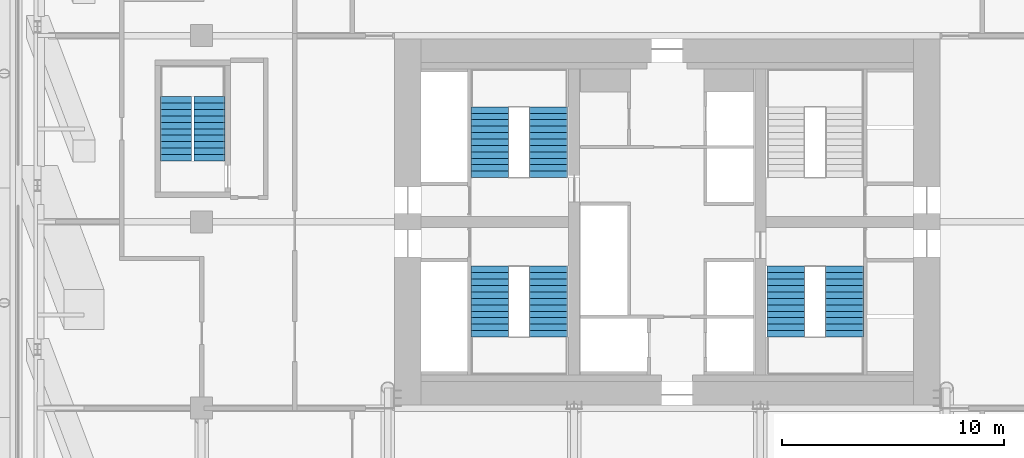
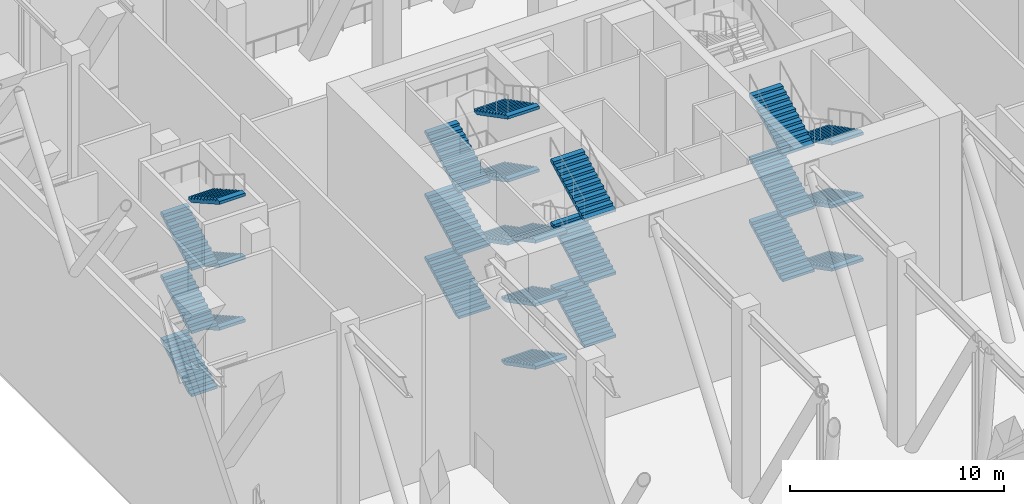
# One storey, part 12 of 19: 24 stair flights, 4 elements without a shape of their own.
"""IFC4 building model written with IfcOpenShell, lengths in metres."""

import ifcopenshell
import ifcopenshell.guid

model = None  # the IFC model being written
_history = None  # IfcOwnerHistory: only IFC2X3 demands one
_inside = {}  # id of a spatial element -> (the spatial element, [elements in it])
_under = {}  # id of a project, library or spatial element -> (it, [spatial elements below it])
_declared = {}  # id of a project -> (the project, [libraries it declares])
_typed = {}  # id of a type object -> (the type object, [elements of that type])
_made_of = {}  # id of a material, layer set ... -> (it, [elements and type objects made of it])


def new_model(schema):
    """Start an empty IFC model of exactly this schema.

    Asked for "IFC4X3", IfcOpenShell would pick the latest addendum, in which some entities
    have other attributes; the version numbers below select the first issue.
    IFC2X3 requires an IfcOwnerHistory on every rooted entity: one is made here for all.
    """
    global model, _history
    if schema == "IFC4X3":
        model = ifcopenshell.file(schema_version=(4, 3, 0, 0))
    else:
        model = ifcopenshell.file(schema=schema)
    _inside.clear()
    _under.clear()
    _declared.clear()
    _typed.clear()
    _made_of.clear()
    _history = None
    if model.schema == "IFC2X3":
        org = make("IfcOrganization", Name="unknown")
        user = make(
            "IfcPersonAndOrganization",
            ThePerson=make("IfcPerson", FamilyName="unknown"),
            TheOrganization=org,
        )
        app = make(
            "IfcApplication",
            ApplicationDeveloper=org,
            Version="unknown",
            ApplicationFullName="unknown",
            ApplicationIdentifier="unknown",
        )
        _history = make(
            "IfcOwnerHistory",
            OwningUser=user,
            OwningApplication=app,
            ChangeAction="ADDED",
            CreationDate=0,
        )
    return model


def make(cls, **values):
    """One entity of the class cls with the attributes given. An attribute that is None is left unset."""
    return model.create_entity(
        cls, **{name: value for name, value in values.items() if value is not None}
    )


def rooted(cls, **values):
    """An entity with a GlobalId (a new one), such as an element, a storey or a relation."""
    return make(cls, GlobalId=ifcopenshell.guid.new(), OwnerHistory=_history, **values)


def si_unit(unit_type, name, prefix=None):
    """IfcSIUnit, for example si_unit("LENGTHUNIT", "METRE", prefix="MILLI")."""
    return make("IfcSIUnit", UnitType=unit_type, Prefix=prefix, Name=name)


def assignment(units):
    """IfcUnitAssignment: the units of a project."""
    return None if units is None else make("IfcUnitAssignment", Units=units)


def point(xyz):
    """IfcCartesianPoint."""
    return None if xyz is None else make("IfcCartesianPoint", Coordinates=xyz)


def direction(xyz):
    """IfcDirection."""
    return None if xyz is None else make("IfcDirection", DirectionRatios=xyz)


def frame(location, z_axis=None, x_axis=None):
    """IfcAxis2Placement3D, a coordinate frame: its origin and axes. An axis left out is left unset."""
    return make(
        "IfcAxis2Placement3D",
        Location=point(location),
        Axis=direction(z_axis),
        RefDirection=direction(x_axis),
    )


def origin():
    """The frame at (0, 0, 0) with its axes left unset."""
    return frame((0.0, 0.0, 0.0))


def place(relative_to, where):
    """IfcLocalPlacement: puts the frame where relative to a parent placement (None: the world)."""
    return make(
        "IfcLocalPlacement", PlacementRelTo=relative_to, RelativePlacement=where
    )


def context(
    kind, dimensions, precision=None, world=None, true_north=None, identifier=None
):
    """IfcGeometricRepresentationContext, for example the 3D "Model" context."""
    return make(
        "IfcGeometricRepresentationContext",
        ContextIdentifier=identifier,
        ContextType=kind,
        CoordinateSpaceDimension=dimensions,
        Precision=precision,
        WorldCoordinateSystem=world,
        TrueNorth=true_north,
    )


def subcontext(parent, identifier, kind, view, scale=None):
    """IfcGeometricRepresentationSubContext, for example "Body" below "Model"."""
    return make(
        "IfcGeometricRepresentationSubContext",
        ContextIdentifier=identifier,
        ContextType=kind,
        ParentContext=parent,
        TargetScale=scale,
        TargetView=view,
    )


def project(units=None, contexts=None):
    """IfcProject with its units and contexts."""
    return rooted(
        "IfcProject",
        Name="project",
        RepresentationContexts=contexts,
        UnitsInContext=assignment(units),
    )


def spatial(cls, under=None, at=None, **own):
    """A site, building, storey or space (cls), placed at a placement, below another one or the project."""
    s = rooted(cls, ObjectPlacement=at, **own)
    if under is not None:
        _under.setdefault(under.id(), (under, []))[1].append(s)
    return s


def polyline(points):
    """IfcPolyline through the points."""
    return make("IfcPolyline", Points=[point(p) for p in points])


def outline(outer, holes=None, kind="AREA"):
    """IfcArbitraryClosedProfileDef: a profile drawn as a closed curve; with holes, ...WithVoids."""
    if holes is None:
        return make("IfcArbitraryClosedProfileDef", ProfileType=kind, OuterCurve=outer)
    return make(
        "IfcArbitraryProfileDefWithVoids",
        ProfileType=kind,
        OuterCurve=outer,
        InnerCurves=holes,
    )


def extrude(swept, where, along, depth):
    """IfcExtrudedAreaSolid: the profile swept, set in the frame where, extruded along a direction by depth."""
    return make(
        "IfcExtrudedAreaSolid",
        SweptArea=swept,
        Position=where,
        ExtrudedDirection=direction(along),
        Depth=depth,
    )


def shape(context_of_items, identifier, shape_type, items):
    """IfcShapeRepresentation: the items that make up one representation, for example the "Body"."""
    return make(
        "IfcShapeRepresentation",
        ContextOfItems=context_of_items,
        RepresentationIdentifier=identifier,
        RepresentationType=shape_type,
        Items=items,
    )


def material(Name=None, Category=None):
    """IfcMaterial."""
    return make("IfcMaterial", Name=Name, Category=Category)


def made_of(thing, what):
    """Note that an element or type object is made of a material, layer set ...; save() writes the relation."""
    if what is not None:
        _made_of.setdefault(what.id(), (what, []))[1].append(thing)
    return thing


def type_object(cls, material=None, **own):
    """A type object (cls), such as IfcWallType, which elements share."""
    return made_of(rooted(cls, **own), material)


def element(
    cls,
    number,
    at=None,
    inside=None,
    cuts=None,
    type_object=None,
    material=None,
    context=None,
    identifier="Body",
    shape_type=None,
    held_by="IfcProductDefinitionShape",
    body=None,
    shapes=None,
    **own,
):
    """One element of the class cls, such as IfcWall. Its Tag is "e" and its number.

    at: its placement. inside: the storey or other place that contains it. cuts: it is an
    opening in that element (IfcRelVoidsElement). A single representation is given by context,
    identifier, shape_type and body (its items); several are given by shapes. held_by: the class
    of the entity that holds the representations. save() writes the other relations.
    """
    e = rooted(cls, Tag="e%d" % number, ObjectPlacement=at, **own)
    if body is not None:
        shapes = [shape(context, identifier, shape_type, body)]
    if shapes is not None:
        e.Representation = make(held_by, Representations=shapes)
    if inside is not None:
        _inside.setdefault(inside.id(), (inside, []))[1].append(e)
    if cuts is not None:
        rooted(
            "IfcRelVoidsElement", RelatingBuildingElement=cuts, RelatedOpeningElement=e
        )
    if type_object is not None:
        _typed.setdefault(type_object.id(), (type_object, []))[1].append(e)
    return made_of(e, material)


def aggregate(whole, parts):
    """IfcRelAggregates: a whole, such as a stair, and the parts it consists of."""
    return rooted("IfcRelAggregates", RelatingObject=whole, RelatedObjects=parts)


def save(model, path):
    """Write the relations noted so far, then the file.

    IfcRelAggregates (storeys below a building ...), IfcRelContainedInSpatialStructure (elements
    in a storey), IfcRelDefinesByType, IfcRelAssociatesMaterial and IfcRelDeclares: one each for
    every whole, place, type object, material and project.
    """
    for whole, parts in _under.values():
        aggregate(whole, parts)
    for where, things in _inside.values():
        rooted(
            "IfcRelContainedInSpatialStructure",
            RelatedElements=things,
            RelatingStructure=where,
        )
    for kind, things in _typed.values():
        rooted("IfcRelDefinesByType", RelatedObjects=things, RelatingType=kind)
    for what, things in _made_of.values():
        rooted("IfcRelAssociatesMaterial", RelatedObjects=things, RelatingMaterial=what)
    for by, libraries in _declared.values():
        rooted("IfcRelDeclares", RelatingContext=by, RelatedDefinitions=libraries)
    model.write(path)


model = new_model("IFC4")

# Units and contexts
model_context = context("Model", 3, precision=1e-05, world=origin(), true_north=direction((0.0, 1.0)))
body_context = subcontext(model_context, "Body", "Model", "MODEL_VIEW")
ifc_project = project(units=[si_unit("LENGTHUNIT", "METRE"), si_unit("AREAUNIT", "SQUARE_METRE"), si_unit("VOLUMEUNIT", "CUBIC_METRE"), si_unit("PLANEANGLEUNIT", "RADIAN"), si_unit("MASSUNIT", "GRAM", prefix="KILO")], contexts=[model_context])

# Site, building, storey
site_placement = place(None, origin())
site = spatial("IfcSite", under=ifc_project, at=site_placement, CompositionType="ELEMENT")
building_placement = place(site_placement, origin())
building = spatial("IfcBuilding", under=site, at=building_placement, Name="Marenta Gate Hotel Tower", CompositionType="ELEMENT")
storey_placement = place(building_placement, frame((0.0, 0.0, 86.89990234375)))
storey = spatial("IfcBuildingStorey", under=building, at=storey_placement, Name="L20", CompositionType="ELEMENT", Elevation=86.89990234375)

# Stair, stair flights
ifc_material_1 = material(Name="Concrete C40", Category="concrete")
stair_type_1 = type_object("IfcStairType", Name="Core exit stair 1700 wide", PredefinedType="HALF_TURN_STAIR", material=ifc_material_1)
stair_1_placement = place(storey_placement, origin())
stair_1 = element("IfcStair", 1, at=stair_1_placement, inside=storey, type_object=stair_type_1, Name="Exit stair 1", PredefinedType="HALF_TURN_STAIR")
ifc_material_2 = material(Name="Concrete C40", Category="concrete")
stair_flight_type_1 = type_object("IfcStairFlightType", Name="Core stair flight 1700 riser 150.0 going 290", PredefinedType="STRAIGHT", material=ifc_material_2)
stair_flight_1_placement = place(storey_placement, frame((-8.0, 6.39990234375, 0.0), z_axis=(0.0, 0.0, 1.0), x_axis=(0.0, -1.0, 0.0)))
stair_flight_1 = element("IfcStairFlight", 2, at=stair_flight_1_placement, type_object=stair_flight_type_1, Name="ST1 flight 1", NumberOfRisers=12, NumberOfTreads=11, PredefinedType="STRAIGHT", RiserHeight=0.15, TreadLength=0.29, context=body_context, shape_type="SweptSolid", body=[
    extrude(outline(polyline([(0.0, 0.0), (0.0, 0.14990234375), (0.2900390625, 0.14990234375), (0.2900390625, 0.300048828125), (0.580078125, 0.300048828125), (0.580078125, 0.449951171875), (0.8701171875, 0.449951171875), (0.8701171875, 0.60009765625), (1.159912109375, 0.60009765625), (1.159912109375, 0.75), (1.449951171875, 0.75), (1.449951171875, 0.89990234375), (1.739990234375, 0.89990234375), (1.739990234375, 1.050048828125), (2.030029296875, 1.050048828125), (2.030029296875, 1.199951171875), (2.320068359375, 1.199951171875), (2.320068359375, 1.35009765625), (2.610107421875, 1.35009765625), (2.610107421875, 1.5), (2.89990234375, 1.5), (2.89990234375, 1.64990234375), (3.18994140625, 1.64990234375), (3.18994140625, 1.800048828125), (3.18994140625, 1.481201171875), (0.326171875, 0.0), (0.0, 0.0)])), frame((0.0, 0.85009765625, 0.0), z_axis=(0.0, -1.0, 0.0), x_axis=(1.0, 0.0, 0.0)), (0.0, 0.0, 1.0), 1.699951171875),
])
stair_flight_2_placement = place(storey_placement, frame((-5.35009765625, 3.2099609375, 1.800048828125), z_axis=(0.0, 0.0, 1.0), x_axis=(0.0, 1.0, 0.0)))
stair_flight_2 = element("IfcStairFlight", 3, at=stair_flight_2_placement, type_object=stair_flight_type_1, Name="ST1 flight 2", NumberOfRisers=12, NumberOfTreads=11, PredefinedType="STRAIGHT", RiserHeight=0.15, TreadLength=0.29, context=body_context, shape_type="SweptSolid", body=[
    extrude(outline(polyline([(0.0, 0.0), (0.0, 0.14990234375), (0.2900390625, 0.14990234375), (0.2900390625, 0.300048828125), (0.580078125, 0.300048828125), (0.580078125, 0.449951171875), (0.8701171875, 0.449951171875), (0.8701171875, 0.60009765625), (1.159912109375, 0.60009765625), (1.159912109375, 0.75), (1.449951171875, 0.75), (1.449951171875, 0.89990234375), (1.739990234375, 0.89990234375), (1.739990234375, 1.050048828125), (2.030029296875, 1.050048828125), (2.030029296875, 1.199951171875), (2.320068359375, 1.199951171875), (2.320068359375, 1.35009765625), (2.610107421875, 1.35009765625), (2.610107421875, 1.5), (2.89990234375, 1.5), (2.89990234375, 1.64990234375), (3.18994140625, 1.64990234375), (3.18994140625, 1.800048828125), (3.18994140625, 1.481201171875), (0.326171875, 0.0), (0.0, 0.0)])), frame((0.0, 0.85009765625, 0.0), z_axis=(0.0, -1.0, 0.0), x_axis=(1.0, 0.0, 0.0)), (0.0, 0.0, 1.0), 1.699951171875),
])
stair_flight_3_placement = place(storey_placement, frame((-8.0, 6.39990234375, 3.60009765625), z_axis=(0.0, 0.0, 1.0), x_axis=(0.0, -1.0, 0.0)))
stair_flight_3 = element("IfcStairFlight", 4, at=stair_flight_3_placement, type_object=stair_flight_type_1, Name="ST1 flight 3", NumberOfRisers=12, NumberOfTreads=11, PredefinedType="STRAIGHT", RiserHeight=0.15, TreadLength=0.29, context=body_context, shape_type="SweptSolid", body=[
    extrude(outline(polyline([(0.0, 0.0), (0.0, 0.14990234375), (0.2900390625, 0.14990234375), (0.2900390625, 0.300048828125), (0.580078125, 0.300048828125), (0.580078125, 0.449951171875), (0.8701171875, 0.449951171875), (0.8701171875, 0.60009765625), (1.159912109375, 0.60009765625), (1.159912109375, 0.75), (1.449951171875, 0.75), (1.449951171875, 0.89990234375), (1.739990234375, 0.89990234375), (1.739990234375, 1.050048828125), (2.030029296875, 1.050048828125), (2.030029296875, 1.199951171875), (2.320068359375, 1.199951171875), (2.320068359375, 1.35009765625), (2.610107421875, 1.35009765625), (2.610107421875, 1.5), (2.89990234375, 1.5), (2.89990234375, 1.64990234375), (3.18994140625, 1.64990234375), (3.18994140625, 1.800048828125), (3.18994140625, 1.481201171875), (0.326171875, 0.0), (0.0, 0.0)])), frame((0.0, 0.85009765625, 0.0), z_axis=(0.0, -1.0, 0.0), x_axis=(1.0, 0.0, 0.0)), (0.0, 0.0, 1.0), 1.699951171875),
])
stair_flight_4_placement = place(storey_placement, frame((-5.35009765625, 3.2099609375, 5.400146484375), z_axis=(0.0, 0.0, 1.0), x_axis=(0.0, 1.0, 0.0)))
stair_flight_4 = element("IfcStairFlight", 5, at=stair_flight_4_placement, type_object=stair_flight_type_1, Name="ST1 flight 4", NumberOfRisers=12, NumberOfTreads=11, PredefinedType="STRAIGHT", RiserHeight=0.15, TreadLength=0.29, context=body_context, shape_type="SweptSolid", body=[
    extrude(outline(polyline([(0.0, 0.0), (0.0, 0.14990234375), (0.2900390625, 0.14990234375), (0.2900390625, 0.300048828125), (0.580078125, 0.300048828125), (0.580078125, 0.449951171875), (0.8701171875, 0.449951171875), (0.8701171875, 0.60009765625), (1.159912109375, 0.60009765625), (1.159912109375, 0.75), (1.449951171875, 0.75), (1.449951171875, 0.89990234375), (1.739990234375, 0.89990234375), (1.739990234375, 1.050048828125), (2.030029296875, 1.050048828125), (2.030029296875, 1.199951171875), (2.320068359375, 1.199951171875), (2.320068359375, 1.35009765625), (2.610107421875, 1.35009765625), (2.610107421875, 1.5), (2.89990234375, 1.5), (2.89990234375, 1.64990234375), (3.18994140625, 1.64990234375), (3.18994140625, 1.800048828125), (3.18994140625, 1.481201171875), (0.326171875, 0.0), (0.0, 0.0)])), frame((0.0, 0.85009765625, 0.0), z_axis=(0.0, -1.0, 0.0), x_axis=(1.0, 0.0, 0.0)), (0.0, 0.0, 1.0), 1.699951171875),
])
stair_flight_5_placement = place(storey_placement, frame((-8.0, 6.39990234375, 7.2001953125), z_axis=(0.0, 0.0, 1.0), x_axis=(0.0, -1.0, 0.0)))
stair_flight_5 = element("IfcStairFlight", 6, at=stair_flight_5_placement, type_object=stair_flight_type_1, Name="ST1 flight 5", NumberOfRisers=12, NumberOfTreads=11, PredefinedType="STRAIGHT", RiserHeight=0.15, TreadLength=0.29, context=body_context, shape_type="SweptSolid", body=[
    extrude(outline(polyline([(0.0, 0.0), (0.0, 0.14990234375), (0.2900390625, 0.14990234375), (0.2900390625, 0.300048828125), (0.580078125, 0.300048828125), (0.580078125, 0.449951171875), (0.8701171875, 0.449951171875), (0.8701171875, 0.60009765625), (1.159912109375, 0.60009765625), (1.159912109375, 0.75), (1.449951171875, 0.75), (1.449951171875, 0.89990234375), (1.739990234375, 0.89990234375), (1.739990234375, 1.050048828125), (2.030029296875, 1.050048828125), (2.030029296875, 1.199951171875), (2.320068359375, 1.199951171875), (2.320068359375, 1.35009765625), (2.610107421875, 1.35009765625), (2.610107421875, 1.5), (2.89990234375, 1.5), (2.89990234375, 1.64990234375), (3.18994140625, 1.64990234375), (3.18994140625, 1.800048828125), (3.18994140625, 1.481201171875), (0.326171875, 0.0), (0.0, 0.0)])), frame((0.0, 0.85009765625, 0.0), z_axis=(0.0, -1.0, 0.0), x_axis=(1.0, 0.0, 0.0)), (0.0, 0.0, 1.0), 1.699951171875),
])
stair_flight_6_placement = place(storey_placement, frame((-5.35009765625, 3.2099609375, 9.0), z_axis=(0.0, 0.0, 1.0), x_axis=(0.0, 1.0, 0.0)))
stair_flight_6 = element("IfcStairFlight", 7, at=stair_flight_6_placement, type_object=stair_flight_type_1, Name="ST1 flight 6", NumberOfRisers=12, NumberOfTreads=11, PredefinedType="STRAIGHT", RiserHeight=0.15, TreadLength=0.29, context=body_context, shape_type="SweptSolid", body=[
    extrude(outline(polyline([(0.0, 0.0), (0.0, 0.14990234375), (0.2900390625, 0.14990234375), (0.2900390625, 0.300048828125), (0.580078125, 0.300048828125), (0.580078125, 0.449951171875), (0.8701171875, 0.449951171875), (0.8701171875, 0.60009765625), (1.159912109375, 0.60009765625), (1.159912109375, 0.75), (1.449951171875, 0.75), (1.449951171875, 0.89990234375), (1.739990234375, 0.89990234375), (1.739990234375, 1.050048828125), (2.030029296875, 1.050048828125), (2.030029296875, 1.199951171875), (2.320068359375, 1.199951171875), (2.320068359375, 1.35009765625), (2.610107421875, 1.35009765625), (2.610107421875, 1.5), (2.89990234375, 1.5), (2.89990234375, 1.64990234375), (3.18994140625, 1.64990234375), (3.18994140625, 1.800048828125), (3.18994140625, 1.481201171875), (0.326171875, 0.0), (0.0, 0.0)])), frame((0.0, 0.85009765625, 0.0), z_axis=(0.0, -1.0, 0.0), x_axis=(1.0, 0.0, 0.0)), (0.0, 0.0, 1.0), 1.699951171875),
])
aggregate(stair_1, [stair_flight_1, stair_flight_2, stair_flight_3, stair_flight_4, stair_flight_5, stair_flight_6])

stair_2_placement = place(storey_placement, origin())
stair_2 = element("IfcStair", 8, at=stair_2_placement, inside=storey, type_object=stair_type_1, Name="Exit stair 2", PredefinedType="HALF_TURN_STAIR")
stair_flight_7_placement = place(storey_placement, frame((-8.0, 10.39990234375, 0.0), z_axis=(0.0, 0.0, 1.0), x_axis=(0.0, 1.0, 0.0)))
stair_flight_7 = element("IfcStairFlight", 9, at=stair_flight_7_placement, type_object=stair_flight_type_1, Name="ST2 flight 1", NumberOfRisers=12, NumberOfTreads=11, PredefinedType="STRAIGHT", RiserHeight=0.15, TreadLength=0.29, context=body_context, shape_type="SweptSolid", body=[
    extrude(outline(polyline([(0.0, 0.0), (0.0, 0.14990234375), (0.2900390625, 0.14990234375), (0.2900390625, 0.300048828125), (0.580078125, 0.300048828125), (0.580078125, 0.449951171875), (0.8701171875, 0.449951171875), (0.8701171875, 0.60009765625), (1.159912109375, 0.60009765625), (1.159912109375, 0.75), (1.449951171875, 0.75), (1.449951171875, 0.89990234375), (1.739990234375, 0.89990234375), (1.739990234375, 1.050048828125), (2.030029296875, 1.050048828125), (2.030029296875, 1.199951171875), (2.320068359375, 1.199951171875), (2.320068359375, 1.35009765625), (2.610107421875, 1.35009765625), (2.610107421875, 1.5), (2.89990234375, 1.5), (2.89990234375, 1.64990234375), (3.18994140625, 1.64990234375), (3.18994140625, 1.800048828125), (3.18994140625, 1.481201171875), (0.326171875, 0.0), (0.0, 0.0)])), frame((0.0, 0.85009765625, 0.0), z_axis=(0.0, -1.0, 0.0), x_axis=(1.0, 0.0, 0.0)), (0.0, 0.0, 1.0), 1.699951171875),
])
stair_flight_8_placement = place(storey_placement, frame((-5.35009765625, 13.590087890625, 1.800048828125), z_axis=(0.0, 0.0, 1.0), x_axis=(0.0, -1.0, 0.0)))
stair_flight_8 = element("IfcStairFlight", 10, at=stair_flight_8_placement, type_object=stair_flight_type_1, Name="ST2 flight 2", NumberOfRisers=12, NumberOfTreads=11, PredefinedType="STRAIGHT", RiserHeight=0.15, TreadLength=0.29, context=body_context, shape_type="SweptSolid", body=[
    extrude(outline(polyline([(0.0, 0.0), (0.0, 0.14990234375), (0.2900390625, 0.14990234375), (0.2900390625, 0.300048828125), (0.580078125, 0.300048828125), (0.580078125, 0.449951171875), (0.8701171875, 0.449951171875), (0.8701171875, 0.60009765625), (1.159912109375, 0.60009765625), (1.159912109375, 0.75), (1.449951171875, 0.75), (1.449951171875, 0.89990234375), (1.739990234375, 0.89990234375), (1.739990234375, 1.050048828125), (2.030029296875, 1.050048828125), (2.030029296875, 1.199951171875), (2.320068359375, 1.199951171875), (2.320068359375, 1.35009765625), (2.610107421875, 1.35009765625), (2.610107421875, 1.5), (2.89990234375, 1.5), (2.89990234375, 1.64990234375), (3.18994140625, 1.64990234375), (3.18994140625, 1.800048828125), (3.18994140625, 1.481201171875), (0.326171875, 0.0), (0.0, 0.0)])), frame((0.0, 0.85009765625, 0.0), z_axis=(0.0, -1.0, 0.0), x_axis=(1.0, 0.0, 0.0)), (0.0, 0.0, 1.0), 1.699951171875),
])
stair_flight_9_placement = place(storey_placement, frame((-8.0, 10.39990234375, 3.60009765625), z_axis=(0.0, 0.0, 1.0), x_axis=(0.0, 1.0, 0.0)))
stair_flight_9 = element("IfcStairFlight", 11, at=stair_flight_9_placement, type_object=stair_flight_type_1, Name="ST2 flight 3", NumberOfRisers=12, NumberOfTreads=11, PredefinedType="STRAIGHT", RiserHeight=0.15, TreadLength=0.29, context=body_context, shape_type="SweptSolid", body=[
    extrude(outline(polyline([(0.0, 0.0), (0.0, 0.14990234375), (0.2900390625, 0.14990234375), (0.2900390625, 0.300048828125), (0.580078125, 0.300048828125), (0.580078125, 0.449951171875), (0.8701171875, 0.449951171875), (0.8701171875, 0.60009765625), (1.159912109375, 0.60009765625), (1.159912109375, 0.75), (1.449951171875, 0.75), (1.449951171875, 0.89990234375), (1.739990234375, 0.89990234375), (1.739990234375, 1.050048828125), (2.030029296875, 1.050048828125), (2.030029296875, 1.199951171875), (2.320068359375, 1.199951171875), (2.320068359375, 1.35009765625), (2.610107421875, 1.35009765625), (2.610107421875, 1.5), (2.89990234375, 1.5), (2.89990234375, 1.64990234375), (3.18994140625, 1.64990234375), (3.18994140625, 1.800048828125), (3.18994140625, 1.481201171875), (0.326171875, 0.0), (0.0, 0.0)])), frame((0.0, 0.85009765625, 0.0), z_axis=(0.0, -1.0, 0.0), x_axis=(1.0, 0.0, 0.0)), (0.0, 0.0, 1.0), 1.699951171875),
])
stair_flight_10_placement = place(storey_placement, frame((-5.35009765625, 13.590087890625, 5.400146484375), z_axis=(0.0, 0.0, 1.0), x_axis=(0.0, -1.0, 0.0)))
stair_flight_10 = element("IfcStairFlight", 12, at=stair_flight_10_placement, type_object=stair_flight_type_1, Name="ST2 flight 4", NumberOfRisers=12, NumberOfTreads=11, PredefinedType="STRAIGHT", RiserHeight=0.15, TreadLength=0.29, context=body_context, shape_type="SweptSolid", body=[
    extrude(outline(polyline([(0.0, 0.0), (0.0, 0.14990234375), (0.2900390625, 0.14990234375), (0.2900390625, 0.300048828125), (0.580078125, 0.300048828125), (0.580078125, 0.449951171875), (0.8701171875, 0.449951171875), (0.8701171875, 0.60009765625), (1.159912109375, 0.60009765625), (1.159912109375, 0.75), (1.449951171875, 0.75), (1.449951171875, 0.89990234375), (1.739990234375, 0.89990234375), (1.739990234375, 1.050048828125), (2.030029296875, 1.050048828125), (2.030029296875, 1.199951171875), (2.320068359375, 1.199951171875), (2.320068359375, 1.35009765625), (2.610107421875, 1.35009765625), (2.610107421875, 1.5), (2.89990234375, 1.5), (2.89990234375, 1.64990234375), (3.18994140625, 1.64990234375), (3.18994140625, 1.800048828125), (3.18994140625, 1.481201171875), (0.326171875, 0.0), (0.0, 0.0)])), frame((0.0, 0.85009765625, 0.0), z_axis=(0.0, -1.0, 0.0), x_axis=(1.0, 0.0, 0.0)), (0.0, 0.0, 1.0), 1.699951171875),
])
stair_flight_11_placement = place(storey_placement, frame((-8.0, 10.39990234375, 7.2001953125), z_axis=(0.0, 0.0, 1.0), x_axis=(0.0, 1.0, 0.0)))
stair_flight_11 = element("IfcStairFlight", 13, at=stair_flight_11_placement, type_object=stair_flight_type_1, Name="ST2 flight 5", NumberOfRisers=12, NumberOfTreads=11, PredefinedType="STRAIGHT", RiserHeight=0.15, TreadLength=0.29, context=body_context, shape_type="SweptSolid", body=[
    extrude(outline(polyline([(0.0, 0.0), (0.0, 0.14990234375), (0.2900390625, 0.14990234375), (0.2900390625, 0.300048828125), (0.580078125, 0.300048828125), (0.580078125, 0.449951171875), (0.8701171875, 0.449951171875), (0.8701171875, 0.60009765625), (1.159912109375, 0.60009765625), (1.159912109375, 0.75), (1.449951171875, 0.75), (1.449951171875, 0.89990234375), (1.739990234375, 0.89990234375), (1.739990234375, 1.050048828125), (2.030029296875, 1.050048828125), (2.030029296875, 1.199951171875), (2.320068359375, 1.199951171875), (2.320068359375, 1.35009765625), (2.610107421875, 1.35009765625), (2.610107421875, 1.5), (2.89990234375, 1.5), (2.89990234375, 1.64990234375), (3.18994140625, 1.64990234375), (3.18994140625, 1.800048828125), (3.18994140625, 1.481201171875), (0.326171875, 0.0), (0.0, 0.0)])), frame((0.0, 0.85009765625, 0.0), z_axis=(0.0, -1.0, 0.0), x_axis=(1.0, 0.0, 0.0)), (0.0, 0.0, 1.0), 1.699951171875),
])
stair_flight_12_placement = place(storey_placement, frame((-5.35009765625, 13.590087890625, 9.0), z_axis=(0.0, 0.0, 1.0), x_axis=(0.0, -1.0, 0.0)))
stair_flight_12 = element("IfcStairFlight", 14, at=stair_flight_12_placement, type_object=stair_flight_type_1, Name="ST2 flight 6", NumberOfRisers=12, NumberOfTreads=11, PredefinedType="STRAIGHT", RiserHeight=0.15, TreadLength=0.29, context=body_context, shape_type="SweptSolid", body=[
    extrude(outline(polyline([(0.0, 0.0), (0.0, 0.14990234375), (0.2900390625, 0.14990234375), (0.2900390625, 0.300048828125), (0.580078125, 0.300048828125), (0.580078125, 0.449951171875), (0.8701171875, 0.449951171875), (0.8701171875, 0.60009765625), (1.159912109375, 0.60009765625), (1.159912109375, 0.75), (1.449951171875, 0.75), (1.449951171875, 0.89990234375), (1.739990234375, 0.89990234375), (1.739990234375, 1.050048828125), (2.030029296875, 1.050048828125), (2.030029296875, 1.199951171875), (2.320068359375, 1.199951171875), (2.320068359375, 1.35009765625), (2.610107421875, 1.35009765625), (2.610107421875, 1.5), (2.89990234375, 1.5), (2.89990234375, 1.64990234375), (3.18994140625, 1.64990234375), (3.18994140625, 1.800048828125), (3.18994140625, 1.481201171875), (0.326171875, 0.0), (0.0, 0.0)])), frame((0.0, 0.85009765625, 0.0), z_axis=(0.0, -1.0, 0.0), x_axis=(1.0, 0.0, 0.0)), (0.0, 0.0, 1.0), 1.699951171875),
])
aggregate(stair_2, [stair_flight_7, stair_flight_8, stair_flight_9, stair_flight_10, stair_flight_11, stair_flight_12])

stair_3_placement = place(storey_placement, origin())
stair_3 = element("IfcStair", 15, at=stair_3_placement, inside=storey, type_object=stair_type_1, Name="Exit stair 3", PredefinedType="HALF_TURN_STAIR")
stair_flight_13_placement = place(storey_placement, frame((8.0, 6.39990234375, 0.0), z_axis=(0.0, 0.0, 1.0), x_axis=(0.0, -1.0, 0.0)))
stair_flight_13 = element("IfcStairFlight", 16, at=stair_flight_13_placement, type_object=stair_flight_type_1, Name="ST3 flight 1", NumberOfRisers=12, NumberOfTreads=11, PredefinedType="STRAIGHT", RiserHeight=0.15, TreadLength=0.29, context=body_context, shape_type="SweptSolid", body=[
    extrude(outline(polyline([(0.0, 0.0), (0.0, 0.14990234375), (0.2900390625, 0.14990234375), (0.2900390625, 0.300048828125), (0.580078125, 0.300048828125), (0.580078125, 0.449951171875), (0.8701171875, 0.449951171875), (0.8701171875, 0.60009765625), (1.159912109375, 0.60009765625), (1.159912109375, 0.75), (1.449951171875, 0.75), (1.449951171875, 0.89990234375), (1.739990234375, 0.89990234375), (1.739990234375, 1.050048828125), (2.030029296875, 1.050048828125), (2.030029296875, 1.199951171875), (2.320068359375, 1.199951171875), (2.320068359375, 1.35009765625), (2.610107421875, 1.35009765625), (2.610107421875, 1.5), (2.89990234375, 1.5), (2.89990234375, 1.64990234375), (3.18994140625, 1.64990234375), (3.18994140625, 1.800048828125), (3.18994140625, 1.481201171875), (0.326171875, 0.0), (0.0, 0.0)])), frame((0.0, 0.85009765625, 0.0), z_axis=(0.0, -1.0, 0.0), x_axis=(1.0, 0.0, 0.0)), (0.0, 0.0, 1.0), 1.699951171875),
])
stair_flight_14_placement = place(storey_placement, frame((5.35009765625, 3.2099609375, 1.800048828125), z_axis=(0.0, 0.0, 1.0), x_axis=(0.0, 1.0, 0.0)))
stair_flight_14 = element("IfcStairFlight", 17, at=stair_flight_14_placement, type_object=stair_flight_type_1, Name="ST3 flight 2", NumberOfRisers=12, NumberOfTreads=11, PredefinedType="STRAIGHT", RiserHeight=0.15, TreadLength=0.29, context=body_context, shape_type="SweptSolid", body=[
    extrude(outline(polyline([(0.0, 0.0), (0.0, 0.14990234375), (0.2900390625, 0.14990234375), (0.2900390625, 0.300048828125), (0.580078125, 0.300048828125), (0.580078125, 0.449951171875), (0.8701171875, 0.449951171875), (0.8701171875, 0.60009765625), (1.159912109375, 0.60009765625), (1.159912109375, 0.75), (1.449951171875, 0.75), (1.449951171875, 0.89990234375), (1.739990234375, 0.89990234375), (1.739990234375, 1.050048828125), (2.030029296875, 1.050048828125), (2.030029296875, 1.199951171875), (2.320068359375, 1.199951171875), (2.320068359375, 1.35009765625), (2.610107421875, 1.35009765625), (2.610107421875, 1.5), (2.89990234375, 1.5), (2.89990234375, 1.64990234375), (3.18994140625, 1.64990234375), (3.18994140625, 1.800048828125), (3.18994140625, 1.481201171875), (0.326171875, 0.0), (0.0, 0.0)])), frame((0.0, 0.85009765625, 0.0), z_axis=(0.0, -1.0, 0.0), x_axis=(1.0, 0.0, 0.0)), (0.0, 0.0, 1.0), 1.699951171875),
])
stair_flight_15_placement = place(storey_placement, frame((8.0, 6.39990234375, 3.60009765625), z_axis=(0.0, 0.0, 1.0), x_axis=(0.0, -1.0, 0.0)))
stair_flight_15 = element("IfcStairFlight", 18, at=stair_flight_15_placement, type_object=stair_flight_type_1, Name="ST3 flight 3", NumberOfRisers=12, NumberOfTreads=11, PredefinedType="STRAIGHT", RiserHeight=0.15, TreadLength=0.29, context=body_context, shape_type="SweptSolid", body=[
    extrude(outline(polyline([(0.0, 0.0), (0.0, 0.14990234375), (0.2900390625, 0.14990234375), (0.2900390625, 0.300048828125), (0.580078125, 0.300048828125), (0.580078125, 0.449951171875), (0.8701171875, 0.449951171875), (0.8701171875, 0.60009765625), (1.159912109375, 0.60009765625), (1.159912109375, 0.75), (1.449951171875, 0.75), (1.449951171875, 0.89990234375), (1.739990234375, 0.89990234375), (1.739990234375, 1.050048828125), (2.030029296875, 1.050048828125), (2.030029296875, 1.199951171875), (2.320068359375, 1.199951171875), (2.320068359375, 1.35009765625), (2.610107421875, 1.35009765625), (2.610107421875, 1.5), (2.89990234375, 1.5), (2.89990234375, 1.64990234375), (3.18994140625, 1.64990234375), (3.18994140625, 1.800048828125), (3.18994140625, 1.481201171875), (0.326171875, 0.0), (0.0, 0.0)])), frame((0.0, 0.85009765625, 0.0), z_axis=(0.0, -1.0, 0.0), x_axis=(1.0, 0.0, 0.0)), (0.0, 0.0, 1.0), 1.699951171875),
])
stair_flight_16_placement = place(storey_placement, frame((5.35009765625, 3.2099609375, 5.400146484375), z_axis=(0.0, 0.0, 1.0), x_axis=(0.0, 1.0, 0.0)))
stair_flight_16 = element("IfcStairFlight", 19, at=stair_flight_16_placement, type_object=stair_flight_type_1, Name="ST3 flight 4", NumberOfRisers=12, NumberOfTreads=11, PredefinedType="STRAIGHT", RiserHeight=0.15, TreadLength=0.29, context=body_context, shape_type="SweptSolid", body=[
    extrude(outline(polyline([(0.0, 0.0), (0.0, 0.14990234375), (0.2900390625, 0.14990234375), (0.2900390625, 0.300048828125), (0.580078125, 0.300048828125), (0.580078125, 0.449951171875), (0.8701171875, 0.449951171875), (0.8701171875, 0.60009765625), (1.159912109375, 0.60009765625), (1.159912109375, 0.75), (1.449951171875, 0.75), (1.449951171875, 0.89990234375), (1.739990234375, 0.89990234375), (1.739990234375, 1.050048828125), (2.030029296875, 1.050048828125), (2.030029296875, 1.199951171875), (2.320068359375, 1.199951171875), (2.320068359375, 1.35009765625), (2.610107421875, 1.35009765625), (2.610107421875, 1.5), (2.89990234375, 1.5), (2.89990234375, 1.64990234375), (3.18994140625, 1.64990234375), (3.18994140625, 1.800048828125), (3.18994140625, 1.481201171875), (0.326171875, 0.0), (0.0, 0.0)])), frame((0.0, 0.85009765625, 0.0), z_axis=(0.0, -1.0, 0.0), x_axis=(1.0, 0.0, 0.0)), (0.0, 0.0, 1.0), 1.699951171875),
])
stair_flight_17_placement = place(storey_placement, frame((8.0, 6.39990234375, 7.2001953125), z_axis=(0.0, 0.0, 1.0), x_axis=(0.0, -1.0, 0.0)))
stair_flight_17 = element("IfcStairFlight", 20, at=stair_flight_17_placement, type_object=stair_flight_type_1, Name="ST3 flight 5", NumberOfRisers=12, NumberOfTreads=11, PredefinedType="STRAIGHT", RiserHeight=0.15, TreadLength=0.29, context=body_context, shape_type="SweptSolid", body=[
    extrude(outline(polyline([(0.0, 0.0), (0.0, 0.14990234375), (0.2900390625, 0.14990234375), (0.2900390625, 0.300048828125), (0.580078125, 0.300048828125), (0.580078125, 0.449951171875), (0.8701171875, 0.449951171875), (0.8701171875, 0.60009765625), (1.159912109375, 0.60009765625), (1.159912109375, 0.75), (1.449951171875, 0.75), (1.449951171875, 0.89990234375), (1.739990234375, 0.89990234375), (1.739990234375, 1.050048828125), (2.030029296875, 1.050048828125), (2.030029296875, 1.199951171875), (2.320068359375, 1.199951171875), (2.320068359375, 1.35009765625), (2.610107421875, 1.35009765625), (2.610107421875, 1.5), (2.89990234375, 1.5), (2.89990234375, 1.64990234375), (3.18994140625, 1.64990234375), (3.18994140625, 1.800048828125), (3.18994140625, 1.481201171875), (0.326171875, 0.0), (0.0, 0.0)])), frame((0.0, 0.85009765625, 0.0), z_axis=(0.0, -1.0, 0.0), x_axis=(1.0, 0.0, 0.0)), (0.0, 0.0, 1.0), 1.699951171875),
])
stair_flight_18_placement = place(storey_placement, frame((5.35009765625, 3.2099609375, 9.0), z_axis=(0.0, 0.0, 1.0), x_axis=(0.0, 1.0, 0.0)))
stair_flight_18 = element("IfcStairFlight", 21, at=stair_flight_18_placement, type_object=stair_flight_type_1, Name="ST3 flight 6", NumberOfRisers=12, NumberOfTreads=11, PredefinedType="STRAIGHT", RiserHeight=0.15, TreadLength=0.29, context=body_context, shape_type="SweptSolid", body=[
    extrude(outline(polyline([(0.0, 0.0), (0.0, 0.14990234375), (0.2900390625, 0.14990234375), (0.2900390625, 0.300048828125), (0.580078125, 0.300048828125), (0.580078125, 0.449951171875), (0.8701171875, 0.449951171875), (0.8701171875, 0.60009765625), (1.159912109375, 0.60009765625), (1.159912109375, 0.75), (1.449951171875, 0.75), (1.449951171875, 0.89990234375), (1.739990234375, 0.89990234375), (1.739990234375, 1.050048828125), (2.030029296875, 1.050048828125), (2.030029296875, 1.199951171875), (2.320068359375, 1.199951171875), (2.320068359375, 1.35009765625), (2.610107421875, 1.35009765625), (2.610107421875, 1.5), (2.89990234375, 1.5), (2.89990234375, 1.64990234375), (3.18994140625, 1.64990234375), (3.18994140625, 1.800048828125), (3.18994140625, 1.481201171875), (0.326171875, 0.0), (0.0, 0.0)])), frame((0.0, 0.85009765625, 0.0), z_axis=(0.0, -1.0, 0.0), x_axis=(1.0, 0.0, 0.0)), (0.0, 0.0, 1.0), 1.699951171875),
])
aggregate(stair_3, [stair_flight_13, stair_flight_14, stair_flight_15, stair_flight_16, stair_flight_17, stair_flight_18])

ifc_material_3 = material(Name="Concrete C40", Category="concrete")
stair_type_2 = type_object("IfcStairType", Name="Remote exit stair 1400 wide", PredefinedType="HALF_TURN_STAIR", material=ifc_material_3)
stair_4_placement = place(storey_placement, origin())
stair_4 = element("IfcStair", 22, at=stair_4_placement, inside=storey, type_object=stair_type_2, Name="Exit stair RS-Z1-3", PredefinedType="HALF_TURN_STAIR")
ifc_material_4 = material(Name="Concrete C40", Category="concrete")
stair_flight_type_2 = type_object("IfcStairFlightType", Name="Remote stair flight 1400 riser 163.6 going 290", PredefinedType="STRAIGHT", material=ifc_material_4)
stair_flight_19_placement = place(storey_placement, frame((-22.14990234375, 11.14990234375, 0.0), z_axis=(0.0, 0.0, 1.0), x_axis=(0.0, 1.0, 0.0)))
stair_flight_19 = element("IfcStairFlight", 23, at=stair_flight_19_placement, type_object=stair_flight_type_2, Name="RS-Z1-3 flight 1", NumberOfRisers=11, NumberOfTreads=10, PredefinedType="STRAIGHT", RiserHeight=0.163636, TreadLength=0.29, context=body_context, shape_type="SweptSolid", body=[
    extrude(outline(polyline([(0.0, 0.0), (0.0, 0.16357421875), (0.2900390625, 0.16357421875), (0.2900390625, 0.327392578125), (0.580078125, 0.327392578125), (0.580078125, 0.490966796875), (0.8701171875, 0.490966796875), (0.8701171875, 0.654541015625), (1.159912109375, 0.654541015625), (1.159912109375, 0.818115234375), (1.449951171875, 0.818115234375), (1.449951171875, 0.98193359375), (1.739990234375, 0.98193359375), (1.739990234375, 1.1455078125), (2.030029296875, 1.1455078125), (2.030029296875, 1.30908203125), (2.320068359375, 1.30908203125), (2.320068359375, 1.47265625), (2.610107421875, 1.47265625), (2.610107421875, 1.636474609375), (2.89990234375, 1.636474609375), (2.89990234375, 1.800048828125), (2.89990234375, 1.46435546875), (0.304931640625, 0.0), (0.0, 0.0)])), frame((0.0, 0.699951171875, 0.0), z_axis=(0.0, -1.0, 0.0), x_axis=(1.0, 0.0, 0.0)), (0.0, 0.0, 1.0), 1.39990234375),
])
stair_flight_20_placement = place(storey_placement, frame((-20.64990234375, 14.050048828125, 1.800048828125), z_axis=(0.0, 0.0, 1.0), x_axis=(0.0, -1.0, 0.0)))
stair_flight_20 = element("IfcStairFlight", 24, at=stair_flight_20_placement, type_object=stair_flight_type_2, Name="RS-Z1-3 flight 2", NumberOfRisers=11, NumberOfTreads=10, PredefinedType="STRAIGHT", RiserHeight=0.163636, TreadLength=0.29, context=body_context, shape_type="SweptSolid", body=[
    extrude(outline(polyline([(0.0, 0.0), (0.0, 0.16357421875), (0.2900390625, 0.16357421875), (0.2900390625, 0.327392578125), (0.580078125, 0.327392578125), (0.580078125, 0.490966796875), (0.8701171875, 0.490966796875), (0.8701171875, 0.654541015625), (1.159912109375, 0.654541015625), (1.159912109375, 0.818115234375), (1.449951171875, 0.818115234375), (1.449951171875, 0.98193359375), (1.739990234375, 0.98193359375), (1.739990234375, 1.1455078125), (2.030029296875, 1.1455078125), (2.030029296875, 1.30908203125), (2.320068359375, 1.30908203125), (2.320068359375, 1.47265625), (2.610107421875, 1.47265625), (2.610107421875, 1.636474609375), (2.89990234375, 1.636474609375), (2.89990234375, 1.800048828125), (2.89990234375, 1.46435546875), (0.304931640625, 0.0), (0.0, 0.0)])), frame((0.0, 0.699951171875, 0.0), z_axis=(0.0, -1.0, 0.0), x_axis=(1.0, 0.0, 0.0)), (0.0, 0.0, 1.0), 1.39990234375),
])
stair_flight_21_placement = place(storey_placement, frame((-22.14990234375, 11.14990234375, 3.60009765625), z_axis=(0.0, 0.0, 1.0), x_axis=(0.0, 1.0, 0.0)))
stair_flight_21 = element("IfcStairFlight", 25, at=stair_flight_21_placement, type_object=stair_flight_type_2, Name="RS-Z1-3 flight 3", NumberOfRisers=11, NumberOfTreads=10, PredefinedType="STRAIGHT", RiserHeight=0.163636, TreadLength=0.29, context=body_context, shape_type="SweptSolid", body=[
    extrude(outline(polyline([(0.0, 0.0), (0.0, 0.16357421875), (0.2900390625, 0.16357421875), (0.2900390625, 0.327392578125), (0.580078125, 0.327392578125), (0.580078125, 0.490966796875), (0.8701171875, 0.490966796875), (0.8701171875, 0.654541015625), (1.159912109375, 0.654541015625), (1.159912109375, 0.818115234375), (1.449951171875, 0.818115234375), (1.449951171875, 0.98193359375), (1.739990234375, 0.98193359375), (1.739990234375, 1.1455078125), (2.030029296875, 1.1455078125), (2.030029296875, 1.30908203125), (2.320068359375, 1.30908203125), (2.320068359375, 1.47265625), (2.610107421875, 1.47265625), (2.610107421875, 1.636474609375), (2.89990234375, 1.636474609375), (2.89990234375, 1.800048828125), (2.89990234375, 1.46435546875), (0.304931640625, 0.0), (0.0, 0.0)])), frame((0.0, 0.699951171875, 0.0), z_axis=(0.0, -1.0, 0.0), x_axis=(1.0, 0.0, 0.0)), (0.0, 0.0, 1.0), 1.39990234375),
])
stair_flight_22_placement = place(storey_placement, frame((-20.64990234375, 14.050048828125, 5.400146484375), z_axis=(0.0, 0.0, 1.0), x_axis=(0.0, -1.0, 0.0)))
stair_flight_22 = element("IfcStairFlight", 26, at=stair_flight_22_placement, type_object=stair_flight_type_2, Name="RS-Z1-3 flight 4", NumberOfRisers=11, NumberOfTreads=10, PredefinedType="STRAIGHT", RiserHeight=0.163636, TreadLength=0.29, context=body_context, shape_type="SweptSolid", body=[
    extrude(outline(polyline([(0.0, 0.0), (0.0, 0.16357421875), (0.2900390625, 0.16357421875), (0.2900390625, 0.327392578125), (0.580078125, 0.327392578125), (0.580078125, 0.490966796875), (0.8701171875, 0.490966796875), (0.8701171875, 0.654541015625), (1.159912109375, 0.654541015625), (1.159912109375, 0.818115234375), (1.449951171875, 0.818115234375), (1.449951171875, 0.98193359375), (1.739990234375, 0.98193359375), (1.739990234375, 1.1455078125), (2.030029296875, 1.1455078125), (2.030029296875, 1.30908203125), (2.320068359375, 1.30908203125), (2.320068359375, 1.47265625), (2.610107421875, 1.47265625), (2.610107421875, 1.636474609375), (2.89990234375, 1.636474609375), (2.89990234375, 1.800048828125), (2.89990234375, 1.46435546875), (0.304931640625, 0.0), (0.0, 0.0)])), frame((0.0, 0.699951171875, 0.0), z_axis=(0.0, -1.0, 0.0), x_axis=(1.0, 0.0, 0.0)), (0.0, 0.0, 1.0), 1.39990234375),
])
stair_flight_23_placement = place(storey_placement, frame((-22.14990234375, 11.14990234375, 7.2001953125), z_axis=(0.0, 0.0, 1.0), x_axis=(0.0, 1.0, 0.0)))
stair_flight_23 = element("IfcStairFlight", 27, at=stair_flight_23_placement, type_object=stair_flight_type_2, Name="RS-Z1-3 flight 5", NumberOfRisers=11, NumberOfTreads=10, PredefinedType="STRAIGHT", RiserHeight=0.163636, TreadLength=0.29, context=body_context, shape_type="SweptSolid", body=[
    extrude(outline(polyline([(0.0, 0.0), (0.0, 0.16357421875), (0.2900390625, 0.16357421875), (0.2900390625, 0.327392578125), (0.580078125, 0.327392578125), (0.580078125, 0.490966796875), (0.8701171875, 0.490966796875), (0.8701171875, 0.654541015625), (1.159912109375, 0.654541015625), (1.159912109375, 0.818115234375), (1.449951171875, 0.818115234375), (1.449951171875, 0.98193359375), (1.739990234375, 0.98193359375), (1.739990234375, 1.1455078125), (2.030029296875, 1.1455078125), (2.030029296875, 1.30908203125), (2.320068359375, 1.30908203125), (2.320068359375, 1.47265625), (2.610107421875, 1.47265625), (2.610107421875, 1.636474609375), (2.89990234375, 1.636474609375), (2.89990234375, 1.800048828125), (2.89990234375, 1.46435546875), (0.304931640625, 0.0), (0.0, 0.0)])), frame((0.0, 0.699951171875, 0.0), z_axis=(0.0, -1.0, 0.0), x_axis=(1.0, 0.0, 0.0)), (0.0, 0.0, 1.0), 1.39990234375),
])
stair_flight_24_placement = place(storey_placement, frame((-20.64990234375, 14.050048828125, 9.0), z_axis=(0.0, 0.0, 1.0), x_axis=(0.0, -1.0, 0.0)))
stair_flight_24 = element("IfcStairFlight", 28, at=stair_flight_24_placement, type_object=stair_flight_type_2, Name="RS-Z1-3 flight 6", NumberOfRisers=11, NumberOfTreads=10, PredefinedType="STRAIGHT", RiserHeight=0.163636, TreadLength=0.29, context=body_context, shape_type="SweptSolid", body=[
    extrude(outline(polyline([(0.0, 0.0), (0.0, 0.16357421875), (0.2900390625, 0.16357421875), (0.2900390625, 0.327392578125), (0.580078125, 0.327392578125), (0.580078125, 0.490966796875), (0.8701171875, 0.490966796875), (0.8701171875, 0.654541015625), (1.159912109375, 0.654541015625), (1.159912109375, 0.818115234375), (1.449951171875, 0.818115234375), (1.449951171875, 0.98193359375), (1.739990234375, 0.98193359375), (1.739990234375, 1.1455078125), (2.030029296875, 1.1455078125), (2.030029296875, 1.30908203125), (2.320068359375, 1.30908203125), (2.320068359375, 1.47265625), (2.610107421875, 1.47265625), (2.610107421875, 1.636474609375), (2.89990234375, 1.636474609375), (2.89990234375, 1.800048828125), (2.89990234375, 1.46435546875), (0.304931640625, 0.0), (0.0, 0.0)])), frame((0.0, 0.699951171875, 0.0), z_axis=(0.0, -1.0, 0.0), x_axis=(1.0, 0.0, 0.0)), (0.0, 0.0, 1.0), 1.39990234375),
])
aggregate(stair_4, [stair_flight_19, stair_flight_20, stair_flight_21, stair_flight_22, stair_flight_23, stair_flight_24])

save(model, "model.ifc")
